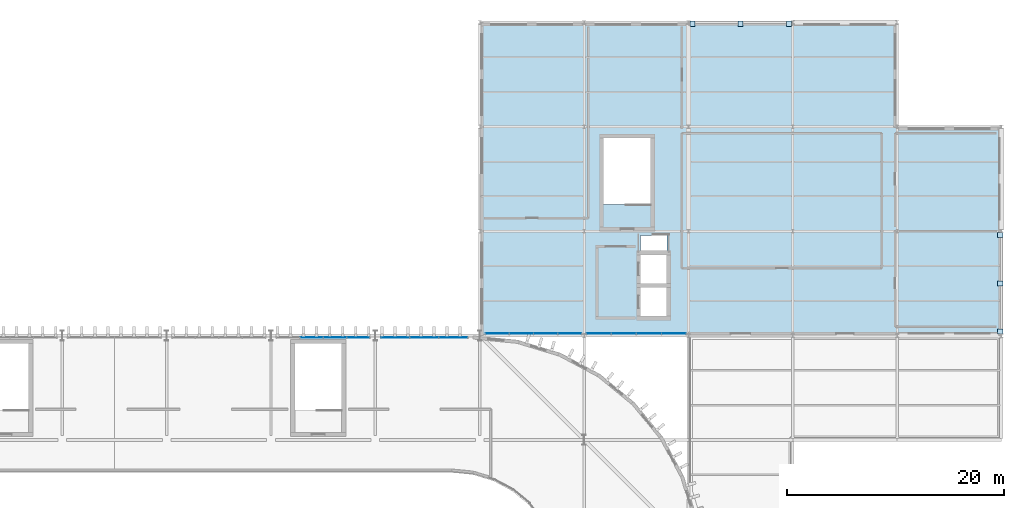
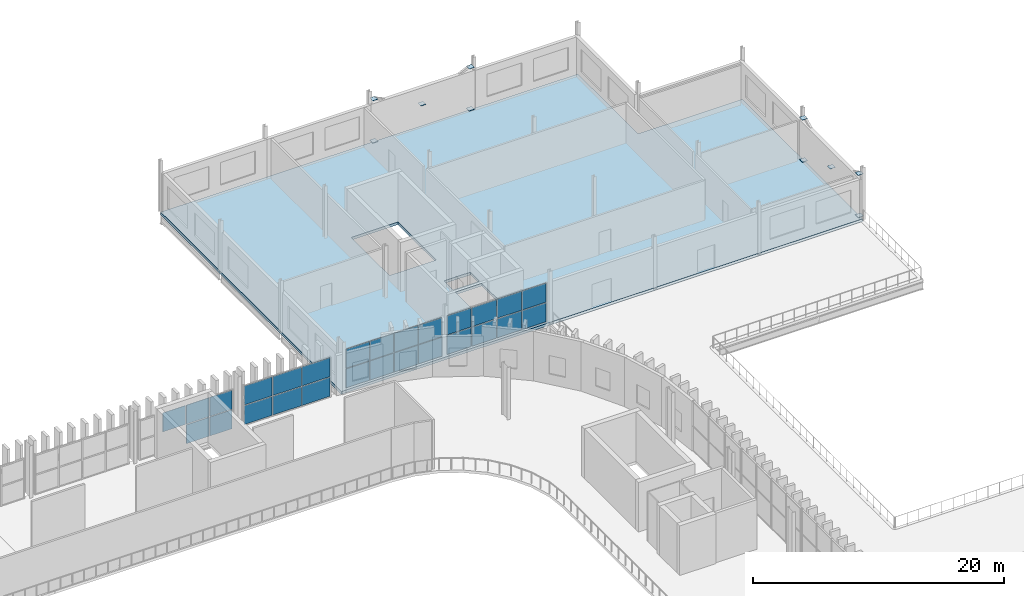
# One storey, part 29 of 45: 37 plates, 1 slab, 4 elements without a shape of their own.
"""IFC4 building model written with IfcOpenShell, lengths in metres."""

from ifc_helpers import new_model, si_unit, direction, frame, origin, origin_2d, place, context, subcontext, project, spatial, polyline, rectangle, outline, extrude, material, layer, layer_set, type_object, element, aggregate, save


model = new_model("IFC4")

# Units and contexts
model_context = context("Model", 3, precision=1e-05, world=origin(), true_north=direction((0.0, 1.0)))
body_context = subcontext(model_context, "Body", "Model", "MODEL_VIEW")
ifc_project = project(units=[si_unit("LENGTHUNIT", "METRE"), si_unit("AREAUNIT", "SQUARE_METRE"), si_unit("VOLUMEUNIT", "CUBIC_METRE"), si_unit("PLANEANGLEUNIT", "RADIAN"), si_unit("MASSUNIT", "GRAM", prefix="KILO")], contexts=[model_context])

# Site, building, storey
site_placement = place(None, origin())
site = spatial("IfcSite", under=ifc_project, at=site_placement, CompositionType="ELEMENT")
building_placement = place(site_placement, origin())
building = spatial("IfcBuilding", under=site, at=building_placement, Name="Caelomonte Colonnade Arena", CompositionType="ELEMENT")
storey_placement = place(building_placement, frame((0.0, 0.0, 23.10009765625)))
storey = spatial("IfcBuildingStorey", under=building, at=storey_placement, Name="L05", CompositionType="ELEMENT", Elevation=23.10009765625)

# Curtain wall, plates
ifc_material_1 = material(Name="Bronze anodised aluminium and low-E glazing", Category="aluminium")
ifc_layer_1 = layer(ifc_material_1, 0.179931640625)
ifc_layer_set_1 = layer_set([ifc_layer_1], Name="Bronze anodised aluminium and low-E glazing")
curtain_wall_type_1 = type_object("IfcCurtainWallType", Name="ENV-CW-CW-L05-96-39", PredefinedType="USERDEFINED", material=ifc_layer_set_1)
curtain_wall_1_placement = place(storey_placement, origin())
curtain_wall_1 = element("IfcCurtainWall", 1, at=curtain_wall_1_placement, inside=storey, type_object=curtain_wall_type_1, Name="L05 unitized curtain wall CW-L05-1488-1154", ObjectType="UNITIZED CURTAIN WALL", PredefinedType="USERDEFINED")
ifc_material_2 = material(Name="Solar-control bronze low-E double glazing", Category="glass")
ifc_layer_2 = layer(ifc_material_2, 0.035888671875)
ifc_layer_set_2 = layer_set([ifc_layer_2], Name="Solar-control bronze low-E double glazing")
plate_type_1 = type_object("IfcPlateType", Name="ENV-CW-PAN36", PredefinedType="CURTAIN_PANEL", material=ifc_layer_set_2)
plate_1_placement = place(storey_placement, frame((145.61328125, 115.3798828125, 0.06982421875), z_axis=(0.0, 0.0, 1.0), x_axis=(1.0, 0.0, 0.0)))
plate_1 = element("IfcPlate", 2, at=plate_1_placement, type_object=plate_type_1, Name="CW-L05-96-39 panel 1.1", PredefinedType="CURTAIN_PANEL", context=body_context, shape_type="SweptSolid", body=[
    extrude(rectangle(XDim=2.13232421875, YDim=0.035888671875, at=origin_2d()), origin(), (0.0, 0.0, 1.0), 1.841552734375),
])
plate_2_placement = place(storey_placement, frame((145.61328125, 115.3798828125, 1.9814453125), z_axis=(0.0, 0.0, 1.0), x_axis=(1.0, 0.0, 0.0)))
plate_2 = element("IfcPlate", 3, at=plate_2_placement, type_object=plate_type_1, Name="CW-L05-96-39 panel 1.2", PredefinedType="CURTAIN_PANEL", context=body_context, shape_type="SweptSolid", body=[
    extrude(rectangle(XDim=2.13232421875, YDim=0.035888671875, at=origin_2d()), origin(), (0.0, 0.0, 1.0), 1.84130859375),
])
plate_3_placement = place(storey_placement, frame((147.8330078125, 115.3798828125, 0.06982421875), z_axis=(0.0, 0.0, 1.0), x_axis=(1.0, 0.0, 0.0)))
plate_3 = element("IfcPlate", 4, at=plate_3_placement, type_object=plate_type_1, Name="CW-L05-96-39 panel 2.1", PredefinedType="CURTAIN_PANEL", context=body_context, shape_type="SweptSolid", body=[
    extrude(rectangle(XDim=2.167236328125, YDim=0.035888671875, at=origin_2d()), origin(), (0.0, 0.0, 1.0), 1.841552734375),
])
plate_4_placement = place(storey_placement, frame((147.8330078125, 115.3798828125, 1.9814453125), z_axis=(0.0, 0.0, 1.0), x_axis=(1.0, 0.0, 0.0)))
plate_4 = element("IfcPlate", 5, at=plate_4_placement, type_object=plate_type_1, Name="CW-L05-96-39 panel 2.2", PredefinedType="CURTAIN_PANEL", context=body_context, shape_type="SweptSolid", body=[
    extrude(rectangle(XDim=2.167236328125, YDim=0.035888671875, at=origin_2d()), origin(), (0.0, 0.0, 1.0), 1.84130859375),
])
plate_5_placement = place(storey_placement, frame((150.0703125, 115.3798828125, 0.06982421875), z_axis=(0.0, 0.0, 1.0), x_axis=(1.0, 0.0, 0.0)))
plate_5 = element("IfcPlate", 6, at=plate_5_placement, type_object=plate_type_1, Name="CW-L05-96-39 panel 3.1", PredefinedType="CURTAIN_PANEL", context=body_context, shape_type="SweptSolid", body=[
    extrude(rectangle(XDim=2.167236328125, YDim=0.035888671875, at=origin_2d()), origin(), (0.0, 0.0, 1.0), 1.841552734375),
])
plate_6_placement = place(storey_placement, frame((150.0703125, 115.3798828125, 1.9814453125), z_axis=(0.0, 0.0, 1.0), x_axis=(1.0, 0.0, 0.0)))
plate_6 = element("IfcPlate", 7, at=plate_6_placement, type_object=plate_type_1, Name="CW-L05-96-39 panel 3.2", PredefinedType="CURTAIN_PANEL", context=body_context, shape_type="SweptSolid", body=[
    extrude(rectangle(XDim=2.167236328125, YDim=0.035888671875, at=origin_2d()), origin(), (0.0, 0.0, 1.0), 1.84130859375),
])
plate_7_placement = place(storey_placement, frame((152.2900390625, 115.3798828125, 0.06982421875), z_axis=(0.0, 0.0, 1.0), x_axis=(1.0, 0.0, 0.0)))
plate_7 = element("IfcPlate", 8, at=plate_7_placement, type_object=plate_type_1, Name="CW-L05-96-39 panel 4.1", PredefinedType="CURTAIN_PANEL", context=body_context, shape_type="SweptSolid", body=[
    extrude(rectangle(XDim=2.13232421875, YDim=0.035888671875, at=origin_2d()), origin(), (0.0, 0.0, 1.0), 1.841552734375),
])
plate_8_placement = place(storey_placement, frame((152.2900390625, 115.3798828125, 1.9814453125), z_axis=(0.0, 0.0, 1.0), x_axis=(1.0, 0.0, 0.0)))
plate_8 = element("IfcPlate", 9, at=plate_8_placement, type_object=plate_type_1, Name="CW-L05-96-39 panel 4.2", PredefinedType="CURTAIN_PANEL", context=body_context, shape_type="SweptSolid", body=[
    extrude(rectangle(XDim=2.13232421875, YDim=0.035888671875, at=origin_2d()), origin(), (0.0, 0.0, 1.0), 1.84130859375),
])
aggregate(curtain_wall_1, [plate_1, plate_2, plate_3, plate_4, plate_5, plate_6, plate_7, plate_8])

curtain_wall_2_placement = place(storey_placement, origin())
curtain_wall_2 = element("IfcCurtainWall", 10, at=curtain_wall_2_placement, inside=storey, type_object=curtain_wall_type_1, Name="L05 unitized curtain wall CW-L05-1584-1154", ObjectType="UNITIZED CURTAIN WALL", PredefinedType="USERDEFINED")
plate_9_placement = place(storey_placement, frame((154.947998046875, 115.3798828125, 0.06982421875), z_axis=(0.0, 0.0, 1.0), x_axis=(1.0, 0.0, 0.0)))
plate_9 = element("IfcPlate", 11, at=plate_9_placement, type_object=plate_type_1, Name="CW-L05-96-39 panel 1.1", PredefinedType="CURTAIN_PANEL", context=body_context, shape_type="SweptSolid", body=[
    extrude(rectangle(XDim=2.2080078125, YDim=0.035888671875, at=origin_2d()), origin(), (0.0, 0.0, 1.0), 1.841552734375),
])
plate_10_placement = place(storey_placement, frame((154.947998046875, 115.3798828125, 1.9814453125), z_axis=(0.0, 0.0, 1.0), x_axis=(1.0, 0.0, 0.0)))
plate_10 = element("IfcPlate", 12, at=plate_10_placement, type_object=plate_type_1, Name="CW-L05-96-39 panel 1.2", PredefinedType="CURTAIN_PANEL", context=body_context, shape_type="SweptSolid", body=[
    extrude(rectangle(XDim=2.2080078125, YDim=0.035888671875, at=origin_2d()), origin(), (0.0, 0.0, 1.0), 1.84130859375),
])
plate_11_placement = place(storey_placement, frame((157.243408203125, 115.3798828125, 0.06982421875), z_axis=(0.0, 0.0, 1.0), x_axis=(1.0, 0.0, 0.0)))
plate_11 = element("IfcPlate", 13, at=plate_11_placement, type_object=plate_type_1, Name="CW-L05-96-39 panel 2.1", PredefinedType="CURTAIN_PANEL", context=body_context, shape_type="SweptSolid", body=[
    extrude(rectangle(XDim=2.2431640625, YDim=0.035888671875, at=origin_2d()), origin(), (0.0, 0.0, 1.0), 1.841552734375),
])
plate_12_placement = place(storey_placement, frame((157.243408203125, 115.3798828125, 1.9814453125), z_axis=(0.0, 0.0, 1.0), x_axis=(1.0, 0.0, 0.0)))
plate_12 = element("IfcPlate", 14, at=plate_12_placement, type_object=plate_type_1, Name="CW-L05-96-39 panel 2.2", PredefinedType="CURTAIN_PANEL", context=body_context, shape_type="SweptSolid", body=[
    extrude(rectangle(XDim=2.2431640625, YDim=0.035888671875, at=origin_2d()), origin(), (0.0, 0.0, 1.0), 1.84130859375),
])
plate_13_placement = place(storey_placement, frame((159.556640625, 115.3798828125, 0.06982421875), z_axis=(0.0, 0.0, 1.0), x_axis=(1.0, 0.0, 0.0)))
plate_13 = element("IfcPlate", 15, at=plate_13_placement, type_object=plate_type_1, Name="CW-L05-96-39 panel 3.1", PredefinedType="CURTAIN_PANEL", context=body_context, shape_type="SweptSolid", body=[
    extrude(rectangle(XDim=2.2431640625, YDim=0.035888671875, at=origin_2d()), origin(), (0.0, 0.0, 1.0), 1.841552734375),
])
plate_14_placement = place(storey_placement, frame((159.556640625, 115.3798828125, 1.9814453125), z_axis=(0.0, 0.0, 1.0), x_axis=(1.0, 0.0, 0.0)))
plate_14 = element("IfcPlate", 16, at=plate_14_placement, type_object=plate_type_1, Name="CW-L05-96-39 panel 3.2", PredefinedType="CURTAIN_PANEL", context=body_context, shape_type="SweptSolid", body=[
    extrude(rectangle(XDim=2.2431640625, YDim=0.035888671875, at=origin_2d()), origin(), (0.0, 0.0, 1.0), 1.84130859375),
])
plate_15_placement = place(storey_placement, frame((161.85205078125, 115.3798828125, 0.06982421875), z_axis=(0.0, 0.0, 1.0), x_axis=(1.0, 0.0, 0.0)))
plate_15 = element("IfcPlate", 17, at=plate_15_placement, type_object=plate_type_1, Name="CW-L05-96-39 panel 4.1", PredefinedType="CURTAIN_PANEL", context=body_context, shape_type="SweptSolid", body=[
    extrude(rectangle(XDim=2.2080078125, YDim=0.035888671875, at=origin_2d()), origin(), (0.0, 0.0, 1.0), 1.841552734375),
])
plate_16_placement = place(storey_placement, frame((161.85205078125, 115.3798828125, 1.9814453125), z_axis=(0.0, 0.0, 1.0), x_axis=(1.0, 0.0, 0.0)))
plate_16 = element("IfcPlate", 18, at=plate_16_placement, type_object=plate_type_1, Name="CW-L05-96-39 panel 4.2", PredefinedType="CURTAIN_PANEL", context=body_context, shape_type="SweptSolid", body=[
    extrude(rectangle(XDim=2.2080078125, YDim=0.035888671875, at=origin_2d()), origin(), (0.0, 0.0, 1.0), 1.84130859375),
])
aggregate(curtain_wall_2, [plate_9, plate_10, plate_11, plate_12, plate_13, plate_14, plate_15, plate_16])

ifc_layer_3 = layer(ifc_material_1, 0.179931640625)
ifc_layer_set_3 = layer_set([ifc_layer_3], Name="Bronze anodised aluminium and low-E glazing")
curtain_wall_type_2 = type_object("IfcCurtainWallType", Name="ENV-CW-CW-L05-90-39", PredefinedType="USERDEFINED", material=ifc_layer_set_3)
curtain_wall_3_placement = place(storey_placement, origin())
curtain_wall_3 = element("IfcCurtainWall", 19, at=curtain_wall_3_placement, inside=storey, type_object=curtain_wall_type_2, Name="L05 unitized curtain wall CW-L05-1389-1150", ObjectType="UNITIZED CURTAIN WALL", PredefinedType="USERDEFINED")
plate_17_placement = place(storey_placement, frame((141.564453125, 115.02001953125, 0.06982421875), z_axis=(0.0, 0.0, 1.0), x_axis=(-1.0, 0.0, 0.0)))
plate_17 = element("IfcPlate", 20, at=plate_17_placement, type_object=plate_type_1, Name="CW-L05-90-39 panel 1.1", PredefinedType="CURTAIN_PANEL", context=body_context, shape_type="SweptSolid", body=[
    extrude(rectangle(XDim=2.576904296875, YDim=0.035888671875, at=origin_2d()), origin(), (0.0, 0.0, 1.0), 1.841552734375),
])
plate_18_placement = place(storey_placement, frame((141.564453125, 115.02001953125, 1.9814453125), z_axis=(0.0, 0.0, 1.0), x_axis=(-1.0, 0.0, 0.0)))
plate_18 = element("IfcPlate", 21, at=plate_18_placement, type_object=plate_type_1, Name="CW-L05-90-39 panel 1.2", PredefinedType="CURTAIN_PANEL", context=body_context, shape_type="SweptSolid", body=[
    extrude(rectangle(XDim=2.576904296875, YDim=0.035888671875, at=origin_2d()), origin(), (0.0, 0.0, 1.0), 1.84130859375),
])
plate_19_placement = place(storey_placement, frame((138.89990234375, 115.02001953125, 0.06982421875), z_axis=(0.0, 0.0, 1.0), x_axis=(-1.0, 0.0, 0.0)))
plate_19 = element("IfcPlate", 22, at=plate_19_placement, type_object=plate_type_1, Name="CW-L05-90-39 panel 2.1", PredefinedType="CURTAIN_PANEL", context=body_context, shape_type="SweptSolid", body=[
    extrude(rectangle(XDim=2.61181640625, YDim=0.035888671875, at=origin_2d()), origin(), (0.0, 0.0, 1.0), 1.841552734375),
])
plate_20_placement = place(storey_placement, frame((138.89990234375, 115.02001953125, 1.9814453125), z_axis=(0.0, 0.0, 1.0), x_axis=(-1.0, 0.0, 0.0)))
plate_20 = element("IfcPlate", 23, at=plate_20_placement, type_object=plate_type_1, Name="CW-L05-90-39 panel 2.2", PredefinedType="CURTAIN_PANEL", context=body_context, shape_type="SweptSolid", body=[
    extrude(rectangle(XDim=2.61181640625, YDim=0.035888671875, at=origin_2d()), origin(), (0.0, 0.0, 1.0), 1.84130859375),
])
plate_21_placement = place(storey_placement, frame((136.235595703125, 115.02001953125, 0.06982421875), z_axis=(0.0, 0.0, 1.0), x_axis=(-1.0, 0.0, 0.0)))
plate_21 = element("IfcPlate", 24, at=plate_21_placement, type_object=plate_type_1, Name="CW-L05-90-39 panel 3.1", PredefinedType="CURTAIN_PANEL", context=body_context, shape_type="SweptSolid", body=[
    extrude(rectangle(XDim=2.576904296875, YDim=0.035888671875, at=origin_2d()), origin(), (0.0, 0.0, 1.0), 1.841552734375),
])
plate_22_placement = place(storey_placement, frame((136.235595703125, 115.02001953125, 1.9814453125), z_axis=(0.0, 0.0, 1.0), x_axis=(-1.0, 0.0, 0.0)))
plate_22 = element("IfcPlate", 25, at=plate_22_placement, type_object=plate_type_1, Name="CW-L05-90-39 panel 3.2", PredefinedType="CURTAIN_PANEL", context=body_context, shape_type="SweptSolid", body=[
    extrude(rectangle(XDim=2.576904296875, YDim=0.035888671875, at=origin_2d()), origin(), (0.0, 0.0, 1.0), 1.84130859375),
])
aggregate(curtain_wall_3, [plate_17, plate_18, plate_19, plate_20, plate_21, plate_22])

curtain_wall_4_placement = place(storey_placement, origin())
curtain_wall_4 = element("IfcCurtainWall", 26, at=curtain_wall_4_placement, inside=storey, type_object=curtain_wall_type_1, Name="L05 unitized curtain wall CW-L05-1296-1150", ObjectType="UNITIZED CURTAIN WALL", PredefinedType="USERDEFINED")
plate_23_placement = place(storey_placement, frame((132.82470703125, 115.02001953125, 0.06982421875), z_axis=(0.0, 0.0, 1.0), x_axis=(-1.0, 0.0, 0.0)))
plate_23 = element("IfcPlate", 27, at=plate_23_placement, type_object=plate_type_1, Name="CW-L05-96-39 panel 1.1", PredefinedType="CURTAIN_PANEL", context=body_context, shape_type="SweptSolid", body=[
    extrude(rectangle(XDim=2.056396484375, YDim=0.035888671875, at=origin_2d()), origin(), (0.0, 0.0, 1.0), 1.841552734375),
])
plate_24_placement = place(storey_placement, frame((132.82470703125, 115.02001953125, 1.9814453125), z_axis=(0.0, 0.0, 1.0), x_axis=(-1.0, 0.0, 0.0)))
plate_24 = element("IfcPlate", 28, at=plate_24_placement, type_object=plate_type_1, Name="CW-L05-96-39 panel 1.2", PredefinedType="CURTAIN_PANEL", context=body_context, shape_type="SweptSolid", body=[
    extrude(rectangle(XDim=2.056396484375, YDim=0.035888671875, at=origin_2d()), origin(), (0.0, 0.0, 1.0), 1.84130859375),
])
plate_25_placement = place(storey_placement, frame((130.6806640625, 115.02001953125, 0.06982421875), z_axis=(0.0, 0.0, 1.0), x_axis=(-1.0, 0.0, 0.0)))
plate_25 = element("IfcPlate", 29, at=plate_25_placement, type_object=plate_type_1, Name="CW-L05-96-39 panel 2.1", PredefinedType="CURTAIN_PANEL", context=body_context, shape_type="SweptSolid", body=[
    extrude(rectangle(XDim=2.09130859375, YDim=0.035888671875, at=origin_2d()), origin(), (0.0, 0.0, 1.0), 1.841552734375),
])
plate_26_placement = place(storey_placement, frame((130.6806640625, 115.02001953125, 1.9814453125), z_axis=(0.0, 0.0, 1.0), x_axis=(-1.0, 0.0, 0.0)))
plate_26 = element("IfcPlate", 30, at=plate_26_placement, type_object=plate_type_1, Name="CW-L05-96-39 panel 2.2", PredefinedType="CURTAIN_PANEL", context=body_context, shape_type="SweptSolid", body=[
    extrude(rectangle(XDim=2.09130859375, YDim=0.035888671875, at=origin_2d()), origin(), (0.0, 0.0, 1.0), 1.84130859375),
])
plate_27_placement = place(storey_placement, frame((128.519287109375, 115.02001953125, 1.9814453125), z_axis=(0.0, 0.0, 1.0), x_axis=(-1.0, 0.0, 0.0)))
plate_27 = element("IfcPlate", 31, at=plate_27_placement, type_object=plate_type_1, Name="CW-L05-96-39 panel 3.2", PredefinedType="CURTAIN_PANEL", context=body_context, shape_type="SweptSolid", body=[
    extrude(rectangle(XDim=2.09130859375, YDim=0.035888671875, at=origin_2d()), origin(), (0.0, 0.0, 1.0), 1.84130859375),
])
aggregate(curtain_wall_4, [plate_23, plate_24, plate_25, plate_26, plate_27])

# Plates
ifc_material_3 = material(Name="Steel ASTM A572 Grade 50", Category="steel")
ifc_layer_4 = layer(ifc_material_3, 0.02490234375)
ifc_layer_set_4 = layer_set([ifc_layer_4], Name="Steel ASTM A572 Grade 50")
plate_type_2 = type_object("IfcPlateType", Name="STR-PL-PN01", PredefinedType="USERDEFINED", material=ifc_layer_set_4)
for number, where, z_axis, x_axis, name in (
    (32, (168.0, 143.885009765625, 2.197509765625), (0.0, 0.0, 1.0), (1.0, 0.0, 0.0), "Braced frame BF3 L05 gusset plate X"),
    (33, (163.56005859375, 143.885009765625, 0.1474609375), (0.0, 0.0, 1.0), (1.0, 0.0, 0.0), "Braced frame BF3 L05 gusset plate BL"),
    (34, (172.43994140625, 143.885009765625, 0.1474609375), (0.0, 0.0, 1.0), (1.0, 0.0, 0.0), "Braced frame BF3 L05 gusset plate BR"),
    (35, (163.56005859375, 143.885009765625, 4.24755859375), (0.0, 0.0, 1.0), (1.0, 0.0, 0.0), "Braced frame BF3 L05 gusset plate TL"),
    (36, (172.43994140625, 143.885009765625, 4.24755859375), (0.0, 0.0, 1.0), (1.0, 0.0, 0.0), "Braced frame BF3 L05 gusset plate TR"),
    (37, (191.885009765625, 120.0, 2.197509765625), (0.0, 0.0, 1.0), (1.0, 0.0, 0.0), "Braced frame BF4 L05 gusset plate X"),
    (38, (191.885009765625, 115.56005859375, 0.1474609375), (0.0, 0.0, 1.0), (1.0, 0.0, 0.0), "Braced frame BF4 L05 gusset plate BL"),
    (39, (191.885009765625, 124.43994140625, 0.1474609375), (0.0, 0.0, 1.0), (1.0, 0.0, 0.0), "Braced frame BF4 L05 gusset plate BR"),
    (40, (191.885009765625, 115.56005859375, 4.24755859375), (0.0, 0.0, 1.0), (1.0, 0.0, 0.0), "Braced frame BF4 L05 gusset plate TL"),
    (41, (191.885009765625, 124.43994140625, 4.24755859375), (0.0, 0.0, 1.0), (1.0, 0.0, 0.0), "Braced frame BF4 L05 gusset plate TR"),
):
    element("IfcPlate", number, at=place(storey_placement, frame(where, z_axis=z_axis, x_axis=x_axis)), inside=storey, type_object=plate_type_2, Name=name, ObjectType="GUSSET PLATE", PredefinedType="USERDEFINED", context=body_context, shape_type="SweptSolid", body=[
        extrude(rectangle(XDim=0.47998046875, YDim=0.47998046875, at=origin_2d()), origin(), (0.0, 0.0, 1.0), 0.02490234375),
    ])

# Slab
ifc_material_4 = material(Name="Concrete C40/50", Category="concrete")
ifc_layer_5 = layer(ifc_material_4, 0.260009765625)
ifc_layer_set_5 = layer_set([ifc_layer_5], Name="Concrete C40/50")
slab_type = type_object("IfcSlabType", Name="STR-SL-FLR26", PredefinedType="FLOOR", material=ifc_layer_set_5)
slab_placement = place(storey_placement, frame((0.0, 0.0, -0.260009765625)))
element("IfcSlab", 42, at=slab_placement, inside=storey, type_object=slab_type, Name="L05 structural floor slab SL-L05-V4-NE", PredefinedType="FLOOR", context=body_context, shape_type="SweptSolid", body=[
    extrude(outline(polyline([(144.0, 115.199951171875), (192.0, 115.199951171875), (192.0, 134.39990234375), (182.39990234375, 134.39990234375), (182.39990234375, 144.0), (144.0, 144.0), (144.0, 115.199951171875)]), holes=[polyline([(158.780029296875, 116.97998046875), (158.780029296875, 119.6201171875), (161.219970703125, 119.6201171875), (161.219970703125, 116.97998046875), (158.780029296875, 116.97998046875)]), polyline([(161.219970703125, 119.97998046875), (158.780029296875, 119.97998046875), (158.780029296875, 122.6201171875), (161.219970703125, 122.6201171875), (161.219970703125, 119.97998046875)]), polyline([(158.780029296875, 122.97998046875), (158.780029296875, 124.419921875), (161.219970703125, 124.419921875), (161.219970703125, 122.97998046875), (158.780029296875, 122.97998046875)]), polyline([(155.39990234375, 127.25), (155.39990234375, 133.35009765625), (159.699951171875, 133.35009765625), (159.699951171875, 127.25), (155.39990234375, 127.25)])]), origin(), (0.0, 0.0, 1.0), 0.260009765625),
])

save(model, "model.ifc")
